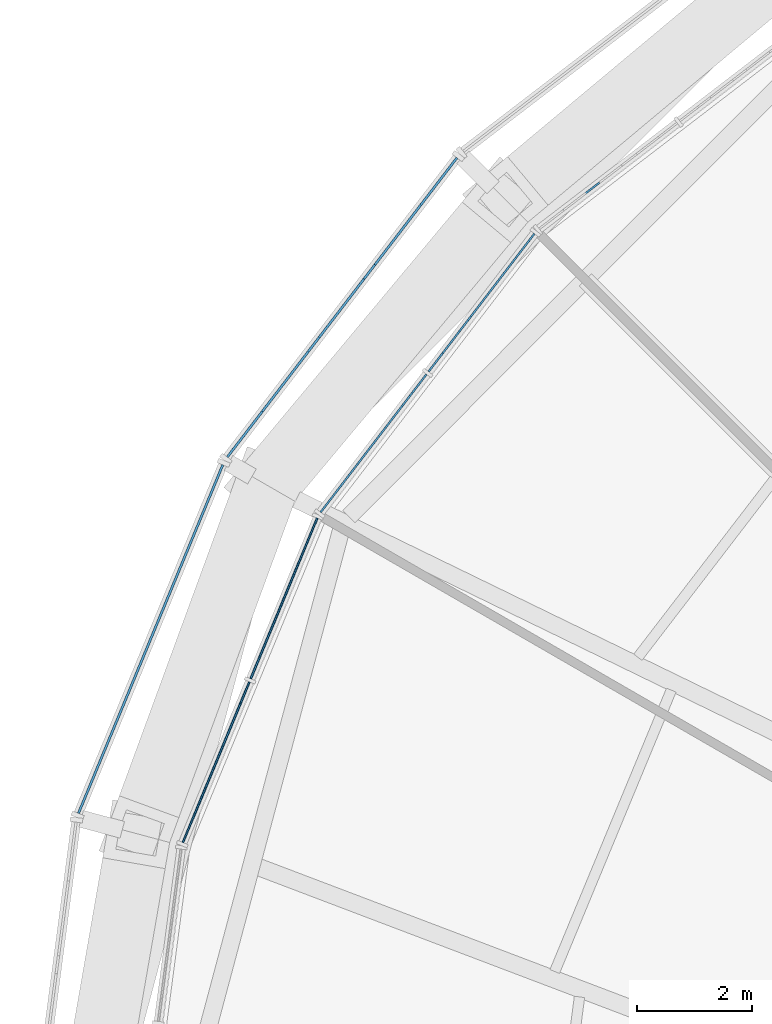
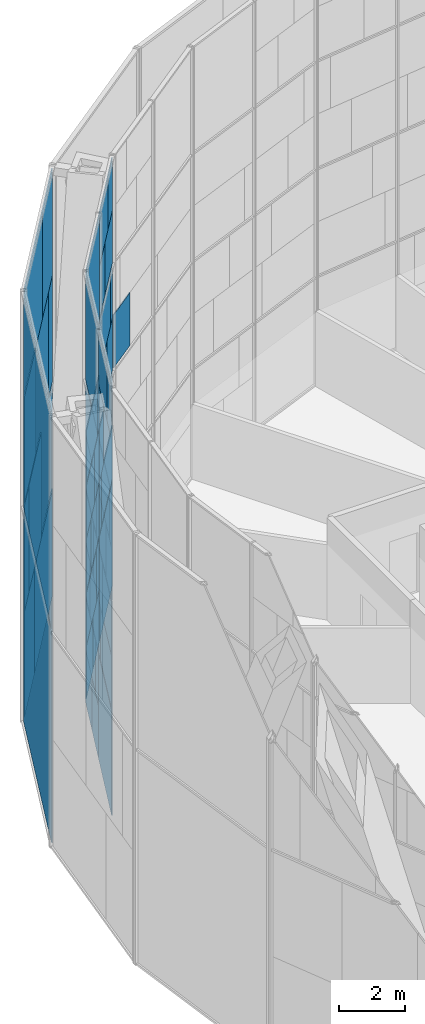
# One storey, part 20 of 28: 63 plates, 5 elements without a shape of their own.
"""IFC4 building model written with IfcOpenShell, lengths in metres."""

import ifcopenshell
import ifcopenshell.guid

model = None  # the IFC model being written
_history = None  # IfcOwnerHistory: only IFC2X3 demands one
_inside = {}  # id of a spatial element -> (the spatial element, [elements in it])
_under = {}  # id of a project, library or spatial element -> (it, [spatial elements below it])
_declared = {}  # id of a project -> (the project, [libraries it declares])
_typed = {}  # id of a type object -> (the type object, [elements of that type])
_made_of = {}  # id of a material, layer set ... -> (it, [elements and type objects made of it])


def new_model(schema):
    """Start an empty IFC model of exactly this schema.

    Asked for "IFC4X3", IfcOpenShell would pick the latest addendum, in which some entities
    have other attributes; the version numbers below select the first issue.
    IFC2X3 requires an IfcOwnerHistory on every rooted entity: one is made here for all.
    """
    global model, _history
    if schema == "IFC4X3":
        model = ifcopenshell.file(schema_version=(4, 3, 0, 0))
    else:
        model = ifcopenshell.file(schema=schema)
    _inside.clear()
    _under.clear()
    _declared.clear()
    _typed.clear()
    _made_of.clear()
    _history = None
    if model.schema == "IFC2X3":
        org = make("IfcOrganization", Name="unknown")
        user = make(
            "IfcPersonAndOrganization",
            ThePerson=make("IfcPerson", FamilyName="unknown"),
            TheOrganization=org,
        )
        app = make(
            "IfcApplication",
            ApplicationDeveloper=org,
            Version="unknown",
            ApplicationFullName="unknown",
            ApplicationIdentifier="unknown",
        )
        _history = make(
            "IfcOwnerHistory",
            OwningUser=user,
            OwningApplication=app,
            ChangeAction="ADDED",
            CreationDate=0,
        )
    return model


def make(cls, **values):
    """One entity of the class cls with the attributes given. An attribute that is None is left unset."""
    return model.create_entity(
        cls, **{name: value for name, value in values.items() if value is not None}
    )


def rooted(cls, **values):
    """An entity with a GlobalId (a new one), such as an element, a storey or a relation."""
    return make(cls, GlobalId=ifcopenshell.guid.new(), OwnerHistory=_history, **values)


def si_unit(unit_type, name, prefix=None):
    """IfcSIUnit, for example si_unit("LENGTHUNIT", "METRE", prefix="MILLI")."""
    return make("IfcSIUnit", UnitType=unit_type, Prefix=prefix, Name=name)


def assignment(units):
    """IfcUnitAssignment: the units of a project."""
    return None if units is None else make("IfcUnitAssignment", Units=units)


def point(xyz):
    """IfcCartesianPoint."""
    return None if xyz is None else make("IfcCartesianPoint", Coordinates=xyz)


def direction(xyz):
    """IfcDirection."""
    return None if xyz is None else make("IfcDirection", DirectionRatios=xyz)


def frame(location, z_axis=None, x_axis=None):
    """IfcAxis2Placement3D, a coordinate frame: its origin and axes. An axis left out is left unset."""
    return make(
        "IfcAxis2Placement3D",
        Location=point(location),
        Axis=direction(z_axis),
        RefDirection=direction(x_axis),
    )


def frame_2d(location, x_axis=None):
    """IfcAxis2Placement2D, a coordinate frame in the plane: its origin and x axis."""
    return make(
        "IfcAxis2Placement2D", Location=point(location), RefDirection=direction(x_axis)
    )


def origin():
    """The frame at (0, 0, 0) with its axes left unset."""
    return frame((0.0, 0.0, 0.0))


def origin_2d():
    """The frame at (0, 0) in the plane with its x axis left unset."""
    return frame_2d((0.0, 0.0))


def place(relative_to, where):
    """IfcLocalPlacement: puts the frame where relative to a parent placement (None: the world)."""
    return make(
        "IfcLocalPlacement", PlacementRelTo=relative_to, RelativePlacement=where
    )


def context(
    kind, dimensions, precision=None, world=None, true_north=None, identifier=None
):
    """IfcGeometricRepresentationContext, for example the 3D "Model" context."""
    return make(
        "IfcGeometricRepresentationContext",
        ContextIdentifier=identifier,
        ContextType=kind,
        CoordinateSpaceDimension=dimensions,
        Precision=precision,
        WorldCoordinateSystem=world,
        TrueNorth=true_north,
    )


def subcontext(parent, identifier, kind, view, scale=None):
    """IfcGeometricRepresentationSubContext, for example "Body" below "Model"."""
    return make(
        "IfcGeometricRepresentationSubContext",
        ContextIdentifier=identifier,
        ContextType=kind,
        ParentContext=parent,
        TargetScale=scale,
        TargetView=view,
    )


def project(units=None, contexts=None):
    """IfcProject with its units and contexts."""
    return rooted(
        "IfcProject",
        Name="project",
        RepresentationContexts=contexts,
        UnitsInContext=assignment(units),
    )


def spatial(cls, under=None, at=None, **own):
    """A site, building, storey or space (cls), placed at a placement, below another one or the project."""
    s = rooted(cls, ObjectPlacement=at, **own)
    if under is not None:
        _under.setdefault(under.id(), (under, []))[1].append(s)
    return s


def profile(cls, at=None, kind="AREA", **sizes):
    """A parametric profile (cls). Its sizes go by their IFC names, for example OverallWidth=200.0."""
    return make(cls, ProfileType=kind, Position=at, **sizes)


def rectangle(**sizes):
    """IfcRectangleProfileDef."""
    return profile("IfcRectangleProfileDef", **sizes)


def extrude(swept, where, along, depth):
    """IfcExtrudedAreaSolid: the profile swept, set in the frame where, extruded along a direction by depth."""
    return make(
        "IfcExtrudedAreaSolid",
        SweptArea=swept,
        Position=where,
        ExtrudedDirection=direction(along),
        Depth=depth,
    )


def shape(context_of_items, identifier, shape_type, items):
    """IfcShapeRepresentation: the items that make up one representation, for example the "Body"."""
    return make(
        "IfcShapeRepresentation",
        ContextOfItems=context_of_items,
        RepresentationIdentifier=identifier,
        RepresentationType=shape_type,
        Items=items,
    )


def material(Name=None, Category=None):
    """IfcMaterial."""
    return make("IfcMaterial", Name=Name, Category=Category)


def layer(
    of_material, thickness, ventilated=None, Name=None, Category=None, Priority=None
):
    """IfcMaterialLayer: one layer of a wall or slab, of a material (None: an air gap)."""
    return make(
        "IfcMaterialLayer",
        Material=of_material,
        LayerThickness=thickness,
        IsVentilated=ventilated,
        Name=Name,
        Category=Category,
        Priority=Priority,
    )


def layer_set(layers, Name=None):
    """IfcMaterialLayerSet."""
    return make("IfcMaterialLayerSet", MaterialLayers=layers, LayerSetName=Name)


def made_of(thing, what):
    """Note that an element or type object is made of a material, layer set ...; save() writes the relation."""
    if what is not None:
        _made_of.setdefault(what.id(), (what, []))[1].append(thing)
    return thing


def type_object(cls, material=None, **own):
    """A type object (cls), such as IfcWallType, which elements share."""
    return made_of(rooted(cls, **own), material)


def element(
    cls,
    number,
    at=None,
    inside=None,
    cuts=None,
    type_object=None,
    material=None,
    context=None,
    identifier="Body",
    shape_type=None,
    held_by="IfcProductDefinitionShape",
    body=None,
    shapes=None,
    **own,
):
    """One element of the class cls, such as IfcWall. Its Tag is "e" and its number.

    at: its placement. inside: the storey or other place that contains it. cuts: it is an
    opening in that element (IfcRelVoidsElement). A single representation is given by context,
    identifier, shape_type and body (its items); several are given by shapes. held_by: the class
    of the entity that holds the representations. save() writes the other relations.
    """
    e = rooted(cls, Tag="e%d" % number, ObjectPlacement=at, **own)
    if body is not None:
        shapes = [shape(context, identifier, shape_type, body)]
    if shapes is not None:
        e.Representation = make(held_by, Representations=shapes)
    if inside is not None:
        _inside.setdefault(inside.id(), (inside, []))[1].append(e)
    if cuts is not None:
        rooted(
            "IfcRelVoidsElement", RelatingBuildingElement=cuts, RelatedOpeningElement=e
        )
    if type_object is not None:
        _typed.setdefault(type_object.id(), (type_object, []))[1].append(e)
    return made_of(e, material)


def aggregate(whole, parts):
    """IfcRelAggregates: a whole, such as a stair, and the parts it consists of."""
    return rooted("IfcRelAggregates", RelatingObject=whole, RelatedObjects=parts)


def save(model, path):
    """Write the relations noted so far, then the file.

    IfcRelAggregates (storeys below a building ...), IfcRelContainedInSpatialStructure (elements
    in a storey), IfcRelDefinesByType, IfcRelAssociatesMaterial and IfcRelDeclares: one each for
    every whole, place, type object, material and project.
    """
    for whole, parts in _under.values():
        aggregate(whole, parts)
    for where, things in _inside.values():
        rooted(
            "IfcRelContainedInSpatialStructure",
            RelatedElements=things,
            RelatingStructure=where,
        )
    for kind, things in _typed.values():
        rooted("IfcRelDefinesByType", RelatedObjects=things, RelatingType=kind)
    for what, things in _made_of.values():
        rooted("IfcRelAssociatesMaterial", RelatedObjects=things, RelatingMaterial=what)
    for by, libraries in _declared.values():
        rooted("IfcRelDeclares", RelatingContext=by, RelatedDefinitions=libraries)
    model.write(path)


model = new_model("IFC4")

# Units and contexts
model_context = context("Model", 3, precision=1e-05, world=origin(), true_north=direction((0.0, 1.0)))
body_context = subcontext(model_context, "Body", "Model", "MODEL_VIEW")
ifc_project = project(units=[si_unit("LENGTHUNIT", "METRE"), si_unit("AREAUNIT", "SQUARE_METRE"), si_unit("VOLUMEUNIT", "CUBIC_METRE"), si_unit("PLANEANGLEUNIT", "RADIAN"), si_unit("MASSUNIT", "GRAM", prefix="KILO")], contexts=[model_context])

# Site, building, storey
site_placement = place(None, origin())
site = spatial("IfcSite", under=ifc_project, at=site_placement, CompositionType="ELEMENT")
building_placement = place(site_placement, origin())
building = spatial("IfcBuilding", under=site, at=building_placement, Name="Golbaran Civic Tower", CompositionType="ELEMENT")
storey_placement = place(building_placement, frame((0.0, 0.0, 183.0)))
storey = spatial("IfcBuildingStorey", under=building, at=storey_placement, Name="L44", CompositionType="ELEMENT", Elevation=183.0)

# Curtain wall, plate
ifc_material_1 = material(Name="Aluminium and glass", Category="aluminium")
curtain_wall_type_1 = type_object("IfcCurtainWallType", Name="INNER SKIN CURTAIN WALL EXECUTIVE", PredefinedType="NOTDEFINED", material=ifc_material_1)
curtain_wall_1_placement = place(storey_placement, origin())
curtain_wall_1 = element("IfcCurtainWall", 1, at=curtain_wall_1_placement, inside=storey, type_object=curtain_wall_type_1, Name="Inner skin L44 facet 9 CW2", ObjectType="INNER SKIN", PredefinedType="USERDEFINED")
ifc_material_2 = material(Name="Clear insulating glass", Category="glass")
ifc_layer_1 = layer(ifc_material_2, 0.031982421875, Name="Clear insulating glass")
ifc_layer_set_1 = layer_set([ifc_layer_1], Name="Clear insulating glass")
plate_type_1 = type_object("IfcPlateType", Name="INNER SKIN CURTAIN WALL EXECUTIVE GLAZED PANEL", PredefinedType="CURTAIN_PANEL", material=ifc_layer_set_1)
plate_1_placement = place(storey_placement, frame((-16.267578125, 17.275146484375, 8.02978515625), z_axis=(0.0, 0.0, 1.0), x_axis=(-0.793353340334, -0.608761428953, 0.0)))
plate_1 = element("IfcPlate", 2, at=plate_1_placement, type_object=plate_type_1, Name="CW2 panel 2.3 part 2", PredefinedType="CURTAIN_PANEL", context=body_context, shape_type="SweptSolid", body=[
    extrude(rectangle(XDim=1.317138671875, YDim=0.031982421875, at=origin_2d()), origin(), (0.0, 0.0, 1.0), 1.969970703125),
])
aggregate(curtain_wall_1, [plate_1])

# Curtain wall, plates
curtain_wall_2_placement = place(storey_placement, origin())
curtain_wall_2 = element("IfcCurtainWall", 3, at=curtain_wall_2_placement, inside=storey, type_object=curtain_wall_type_1, Name="Inner skin L44 facet 10 CW2", ObjectType="INNER SKIN", PredefinedType="USERDEFINED")
plate_2_placement = place(storey_placement, frame((-17.792724609375, 15.5927734375, 0.06005859375), z_axis=(0.0, 0.0, 1.0), x_axis=(-0.608761428953, -0.793353340334, 0.0)))
plate_2 = element("IfcPlate", 4, at=plate_2_placement, type_object=plate_type_1, Name="CW2 panel 1.1", PredefinedType="CURTAIN_PANEL", context=body_context, shape_type="SweptSolid", body=[
    extrude(rectangle(XDim=3.01806640625, YDim=0.031982421875, at=origin_2d()), origin(), (0.0, 0.0, 1.0), 3.909912109375),
])
plate_3_placement = place(storey_placement, frame((-17.670654296875, 15.751953125, 4.02978515625), z_axis=(0.0, 0.0, 1.0), x_axis=(-0.608761428953, -0.793353340334, 0.0)))
plate_3 = element("IfcPlate", 5, at=plate_3_placement, type_object=plate_type_1, Name="CW2 panel 1.2 part 1", PredefinedType="CURTAIN_PANEL", context=body_context, shape_type="SweptSolid", body=[
    extrude(rectangle(XDim=2.616943359375, YDim=0.031982421875, at=origin_2d()), origin(), (0.0, 0.0, 1.0), 1.969970703125),
])
plate_4_placement = place(storey_placement, frame((-17.5244140625, 15.942626953125, 6.0), z_axis=(0.0, 0.0, 1.0), x_axis=(-0.608761428953, -0.793353340334, 0.0)))
plate_4 = element("IfcPlate", 6, at=plate_4_placement, type_object=plate_type_1, Name="CW2 panel 1.2 part 3", PredefinedType="CURTAIN_PANEL", context=body_context, shape_type="SweptSolid", body=[
    extrude(rectangle(XDim=2.135986328125, YDim=0.031982421875, at=origin_2d()), origin(), (0.0, 0.0, 1.0), 1.969970703125),
])
plate_5_placement = place(storey_placement, frame((-17.27490234375, 16.267578125, 8.02978515625), z_axis=(0.0, 0.0, 1.0), x_axis=(-0.608761428953, -0.793353340334, 0.0)))
plate_5 = element("IfcPlate", 7, at=plate_5_placement, type_object=plate_type_1, Name="CW2 panel 1.3 part 1", PredefinedType="CURTAIN_PANEL", context=body_context, shape_type="SweptSolid", body=[
    extrude(rectangle(XDim=1.31689453125, YDim=0.031982421875, at=origin_2d()), origin(), (0.0, 0.0, 1.0), 1.969970703125),
])
plate_6_placement = place(storey_placement, frame((-17.033447265625, 16.58251953125, 10.0), z_axis=(0.0, 0.0, 1.0), x_axis=(-0.608761428953, -0.793353340334, 0.0)))
plate_6 = element("IfcPlate", 8, at=plate_6_placement, type_object=plate_type_1, Name="CW2 panel 1.3 part 3", PredefinedType="CURTAIN_PANEL", context=body_context, shape_type="SweptSolid", body=[
    extrude(rectangle(XDim=0.52294921875, YDim=0.031982421875, at=origin_2d()), origin(), (0.0, 0.0, 1.0), 1.969970703125),
])
plate_7_placement = place(storey_placement, frame((-18.34375, 14.874755859375, 12.030029296875), z_axis=(0.0, 0.0, 1.0), x_axis=(-0.608761428953, -0.793353340334, 0.0)))
plate_7 = element("IfcPlate", 9, at=plate_7_placement, type_object=plate_type_1, Name="CW2 panel 1.4 part 2", PredefinedType="CURTAIN_PANEL", context=body_context, shape_type="SweptSolid", body=[
    extrude(rectangle(XDim=1.2080078125, YDim=0.031982421875, at=origin_2d()), origin(), (0.0, 0.0, 1.0), 1.955078125),
])
plate_8_placement = place(storey_placement, frame((-18.103759765625, 15.1875, 13.98486328125), z_axis=(0.0, 0.0, 1.0), x_axis=(-0.608761428953, -0.793353340334, 0.0)))
plate_8 = element("IfcPlate", 10, at=plate_8_placement, type_object=plate_type_1, Name="CW2 panel 1.4 part 4", PredefinedType="CURTAIN_PANEL", context=body_context, shape_type="SweptSolid", body=[
    extrude(rectangle(XDim=1.99609375, YDim=0.031982421875, at=origin_2d()), origin(), (0.0, 0.0, 1.0), 1.955078125),
])
plate_9_placement = place(storey_placement, frame((-19.192138671875, 13.769287109375, 0.06005859375), z_axis=(0.0, 0.0, 1.0), x_axis=(-0.608761428953, -0.793353340334, 0.0)))
plate_9 = element("IfcPlate", 11, at=plate_9_placement, type_object=plate_type_1, Name="CW2 panel 2.1 part 1", PredefinedType="CURTAIN_PANEL", context=body_context, shape_type="SweptSolid", body=[
    extrude(rectangle(XDim=1.458984375, YDim=0.031982421875, at=origin_2d()), origin(), (0.0, 0.0, 1.0), 1.955078125),
])
plate_10_placement = place(storey_placement, frame((-18.951904296875, 14.082275390625, 2.014892578125), z_axis=(0.0, 0.0, 1.0), x_axis=(-0.608761428953, -0.793353340334, 0.0)))
plate_10 = element("IfcPlate", 12, at=plate_10_placement, type_object=plate_type_1, Name="CW2 panel 2.1 part 3", PredefinedType="CURTAIN_PANEL", context=body_context, shape_type="SweptSolid", body=[
    extrude(rectangle(XDim=0.669921875, YDim=0.031982421875, at=origin_2d()), origin(), (0.0, 0.0, 1.0), 1.955078125),
])
plate_11_placement = place(storey_placement, frame((-20.2626953125, 12.3740234375, 4.02978515625), z_axis=(0.0, 0.0, 1.0), x_axis=(-0.608761428953, -0.793353340334, 0.0)))
plate_11 = element("IfcPlate", 13, at=plate_11_placement, type_object=plate_type_1, Name="CW2 panel 2.2 part 2", PredefinedType="CURTAIN_PANEL", context=body_context, shape_type="SweptSolid", body=[
    extrude(rectangle(XDim=1.06005859375, YDim=0.031982421875, at=origin_2d()), origin(), (0.0, 0.0, 1.0), 1.969970703125),
])
plate_12_placement = place(storey_placement, frame((-20.0205078125, 12.689453125, 6.0), z_axis=(0.0, 0.0, 1.0), x_axis=(-0.608761428953, -0.793353340334, 0.0)))
plate_12 = element("IfcPlate", 14, at=plate_12_placement, type_object=plate_type_1, Name="CW2 panel 2.2 part 4", PredefinedType="CURTAIN_PANEL", context=body_context, shape_type="SweptSolid", body=[
    extrude(rectangle(XDim=1.85498046875, YDim=0.031982421875, at=origin_2d()), origin(), (0.0, 0.0, 1.0), 1.969970703125),
])
plate_13_placement = place(storey_placement, frame((-19.78857421875, 12.99169921875, 8.02978515625), z_axis=(0.0, 0.0, 1.0), x_axis=(-0.608761428953, -0.793353340334, 0.0)))
plate_13 = element("IfcPlate", 15, at=plate_13_placement, type_object=plate_type_1, Name="CW2 panel 2.3 part 2", PredefinedType="CURTAIN_PANEL", context=body_context, shape_type="SweptSolid", body=[
    extrude(rectangle(XDim=2.6171875, YDim=0.031982421875, at=origin_2d()), origin(), (0.0, 0.0, 1.0), 1.969970703125),
])
plate_14_placement = place(storey_placement, frame((-19.66650390625, 13.15087890625, 10.0), z_axis=(0.0, 0.0, 1.0), x_axis=(-0.608761428953, -0.793353340334, 0.0)))
plate_14 = element("IfcPlate", 16, at=plate_14_placement, type_object=plate_type_1, Name="CW2 panel 2.3 part 3", PredefinedType="CURTAIN_PANEL", context=body_context, shape_type="SweptSolid", body=[
    extrude(rectangle(XDim=3.01806640625, YDim=0.031982421875, at=origin_2d()), origin(), (0.0, 0.0, 1.0), 1.969970703125),
])
plate_15_placement = place(storey_placement, frame((-19.66650390625, 13.15087890625, 12.0302734375), z_axis=(0.0, 0.0, 1.0), x_axis=(-0.608761428953, -0.793353340334, 0.0)))
plate_15 = element("IfcPlate", 17, at=plate_15_placement, type_object=plate_type_1, Name="CW2 panel 2.4", PredefinedType="CURTAIN_PANEL", context=body_context, shape_type="SweptSolid", body=[
    extrude(rectangle(XDim=3.01806640625, YDim=0.031982421875, at=origin_2d()), origin(), (0.0, 0.0, 1.0), 3.909912109375),
])

curtain_wall_3_placement = place(storey_placement, origin())
curtain_wall_3 = element("IfcCurtainWall", 18, at=curtain_wall_3_placement, inside=storey, type_object=curtain_wall_type_1, Name="Inner skin L44 facet 11 CW2", ObjectType="INNER SKIN", PredefinedType="USERDEFINED")
plate_16_placement = place(storey_placement, frame((-21.5205078125, 9.736328125, 0.06005859375), z_axis=(0.0, 0.0, 1.0), x_axis=(-0.382683432413, -0.923879532491, 0.0)))
plate_16 = element("IfcPlate", 19, at=plate_16_placement, type_object=plate_type_1, Name="CW2 panel 1.1 part 2", PredefinedType="CURTAIN_PANEL", context=body_context, shape_type="SweptSolid", body=[
    extrude(rectangle(XDim=1.458984375, YDim=0.031982421875, at=origin_2d()), origin(), (0.0, 0.0, 1.0), 1.955078125),
])
plate_17_placement = place(storey_placement, frame((-21.671630859375, 9.371826171875, 2.014892578125), z_axis=(0.0, 0.0, 1.0), x_axis=(-0.382683432413, -0.923879532491, 0.0)))
plate_17 = element("IfcPlate", 20, at=plate_17_placement, type_object=plate_type_1, Name="CW2 panel 1.1 part 4", PredefinedType="CURTAIN_PANEL", context=body_context, shape_type="SweptSolid", body=[
    extrude(rectangle(XDim=0.670166015625, YDim=0.031982421875, at=origin_2d()), origin(), (0.0, 0.0, 1.0), 1.955078125),
])
plate_18_placement = place(storey_placement, frame((-20.84765625, 11.36083984375, 4.02978515625), z_axis=(0.0, 0.0, 1.0), x_axis=(-0.382683432413, -0.923879532491, 0.0)))
plate_18 = element("IfcPlate", 21, at=plate_18_placement, type_object=plate_type_1, Name="CW2 panel 1.2 part 1", PredefinedType="CURTAIN_PANEL", context=body_context, shape_type="SweptSolid", body=[
    extrude(rectangle(XDim=1.06005859375, YDim=0.031982421875, at=origin_2d()), origin(), (0.0, 0.0, 1.0), 1.969970703125),
])
plate_19_placement = place(storey_placement, frame((-20.999755859375, 10.99365234375, 6.0), z_axis=(0.0, 0.0, 1.0), x_axis=(-0.382683432413, -0.923879532491, 0.0)))
plate_19 = element("IfcPlate", 22, at=plate_19_placement, type_object=plate_type_1, Name="CW2 panel 1.2 part 3", PredefinedType="CURTAIN_PANEL", context=body_context, shape_type="SweptSolid", body=[
    extrude(rectangle(XDim=1.85498046875, YDim=0.031982421875, at=origin_2d()), origin(), (0.0, 0.0, 1.0), 1.969970703125),
])
plate_20_placement = place(storey_placement, frame((-21.1455078125, 10.6416015625, 8.02978515625), z_axis=(0.0, 0.0, 1.0), x_axis=(-0.382683432413, -0.923879532491, 0.0)))
plate_20 = element("IfcPlate", 23, at=plate_20_placement, type_object=plate_type_1, Name="CW2 panel 1.3 part 1", PredefinedType="CURTAIN_PANEL", context=body_context, shape_type="SweptSolid", body=[
    extrude(rectangle(XDim=2.616943359375, YDim=0.031982421875, at=origin_2d()), origin(), (0.0, 0.0, 1.0), 1.969970703125),
])
plate_21_placement = place(storey_placement, frame((-21.22216796875, 10.456298828125, 10.0), z_axis=(0.0, 0.0, 1.0), x_axis=(-0.382683432413, -0.923879532491, 0.0)))
plate_21 = element("IfcPlate", 24, at=plate_21_placement, type_object=plate_type_1, Name="CW2 panel 1.3 part 3", PredefinedType="CURTAIN_PANEL", context=body_context, shape_type="SweptSolid", body=[
    extrude(rectangle(XDim=3.01806640625, YDim=0.031982421875, at=origin_2d()), origin(), (0.0, 0.0, 1.0), 1.969970703125),
])
plate_22_placement = place(storey_placement, frame((-21.22216796875, 10.456298828125, 12.0302734375), z_axis=(0.0, 0.0, 1.0), x_axis=(-0.382683432413, -0.923879532491, 0.0)))
plate_22 = element("IfcPlate", 25, at=plate_22_placement, type_object=plate_type_1, Name="CW2 panel 1.4", PredefinedType="CURTAIN_PANEL", context=body_context, shape_type="SweptSolid", body=[
    extrude(rectangle(XDim=3.01806640625, YDim=0.031982421875, at=origin_2d()), origin(), (0.0, 0.0, 1.0), 3.909912109375),
])
plate_23_placement = place(storey_placement, frame((-22.400146484375, 7.612548828125, 0.06005859375), z_axis=(0.0, 0.0, 1.0), x_axis=(-0.382683432413, -0.923879532491, 0.0)))
plate_23 = element("IfcPlate", 26, at=plate_23_placement, type_object=plate_type_1, Name="CW2 panel 2.1", PredefinedType="CURTAIN_PANEL", context=body_context, shape_type="SweptSolid", body=[
    extrude(rectangle(XDim=3.01806640625, YDim=0.031982421875, at=origin_2d()), origin(), (0.0, 0.0, 1.0), 3.909912109375),
])
plate_24_placement = place(storey_placement, frame((-22.476806640625, 7.427734375, 4.02978515625), z_axis=(0.0, 0.0, 1.0), x_axis=(-0.382683432413, -0.923879532491, 0.0)))
plate_24 = element("IfcPlate", 27, at=plate_24_placement, type_object=plate_type_1, Name="CW2 panel 2.2 part 2", PredefinedType="CURTAIN_PANEL", context=body_context, shape_type="SweptSolid", body=[
    extrude(rectangle(XDim=2.6181640625, YDim=0.031982421875, at=origin_2d()), origin(), (0.0, 0.0, 1.0), 1.969970703125),
])
plate_25_placement = place(storey_placement, frame((-22.56884765625, 7.205078125, 6.0), z_axis=(0.0, 0.0, 1.0), x_axis=(-0.382683432413, -0.923879532491, 0.0)))
plate_25 = element("IfcPlate", 28, at=plate_25_placement, type_object=plate_type_1, Name="CW2 panel 2.2 part 4", PredefinedType="CURTAIN_PANEL", context=body_context, shape_type="SweptSolid", body=[
    extrude(rectangle(XDim=2.135986328125, YDim=0.031982421875, at=origin_2d()), origin(), (0.0, 0.0, 1.0), 1.969970703125),
])
plate_26_placement = place(storey_placement, frame((-22.7255859375, 6.826904296875, 8.02978515625), z_axis=(0.0, 0.0, 1.0), x_axis=(-0.382683432413, -0.923879532491, 0.0)))
plate_26 = element("IfcPlate", 29, at=plate_26_placement, type_object=plate_type_1, Name="CW2 panel 2.3 part 2", PredefinedType="CURTAIN_PANEL", context=body_context, shape_type="SweptSolid", body=[
    extrude(rectangle(XDim=1.317138671875, YDim=0.031982421875, at=origin_2d()), origin(), (0.0, 0.0, 1.0), 1.969970703125),
])
plate_27_placement = place(storey_placement, frame((-22.877685546875, 6.4599609375, 10.0), z_axis=(0.0, 0.0, 1.0), x_axis=(-0.382683432413, -0.923879532491, 0.0)))
plate_27 = element("IfcPlate", 30, at=plate_27_placement, type_object=plate_type_1, Name="CW2 panel 2.3 part 4", PredefinedType="CURTAIN_PANEL", context=body_context, shape_type="SweptSolid", body=[
    extrude(rectangle(XDim=0.523193359375, YDim=0.031982421875, at=origin_2d()), origin(), (0.0, 0.0, 1.0), 1.969970703125),
])
plate_28_placement = place(storey_placement, frame((-22.0537109375, 8.44873046875, 12.030029296875), z_axis=(0.0, 0.0, 1.0), x_axis=(-0.382683432413, -0.923879532491, 0.0)))
plate_28 = element("IfcPlate", 31, at=plate_28_placement, type_object=plate_type_1, Name="CW2 panel 2.4 part 1", PredefinedType="CURTAIN_PANEL", context=body_context, shape_type="SweptSolid", body=[
    extrude(rectangle(XDim=1.2080078125, YDim=0.031982421875, at=origin_2d()), origin(), (0.0, 0.0, 1.0), 1.955078125),
])
plate_29_placement = place(storey_placement, frame((-22.20458984375, 8.084716796875, 13.98486328125), z_axis=(0.0, 0.0, 1.0), x_axis=(-0.382683432413, -0.923879532491, 0.0)))
plate_29 = element("IfcPlate", 32, at=plate_29_placement, type_object=plate_type_1, Name="CW2 panel 2.4 part 3", PredefinedType="CURTAIN_PANEL", context=body_context, shape_type="SweptSolid", body=[
    extrude(rectangle(XDim=1.99609375, YDim=0.031982421875, at=origin_2d()), origin(), (0.0, 0.0, 1.0), 1.955078125),
])

# Plate
ifc_material_3 = material(Name="Aluminium faced opaque infill panel", Category="aluminium")
ifc_layer_2 = layer(ifc_material_3, 0.031982421875, Name="Aluminium faced opaque infill panel")
ifc_layer_set_2 = layer_set([ifc_layer_2], Name="Aluminium faced opaque infill panel")
plate_type_2 = type_object("IfcPlateType", Name="INNER SKIN CURTAIN WALL EXECUTIVE OPAQUE INFILL PANEL", PredefinedType="CURTAIN_PANEL", material=ifc_layer_set_2)
plate_30_placement = place(storey_placement, frame((-18.58935546875, 14.5546875, 4.02978515625), z_axis=(0.0, 0.0, 1.0), x_axis=(-0.608761428953, -0.793353340334, 0.0)))
plate_30 = element("IfcPlate", 33, at=plate_30_placement, type_object=plate_type_2, Name="CW2 infill panel 1.2 part 2", PredefinedType="CURTAIN_PANEL", context=body_context, shape_type="SweptSolid", body=[
    extrude(rectangle(XDim=0.401123046875, YDim=0.031982421875, at=origin_2d()), origin(), (0.0, 0.0, 1.0), 1.969970703125),
])

plate_31_placement = place(storey_placement, frame((-18.44287109375, 14.74560546875, 6.0), z_axis=(0.0, 0.0, 1.0), x_axis=(-0.608761428953, -0.793353340334, 0.0)))
plate_31 = element("IfcPlate", 34, at=plate_31_placement, type_object=plate_type_2, Name="CW2 infill panel 1.2 part 4", PredefinedType="CURTAIN_PANEL", context=body_context, shape_type="SweptSolid", body=[
    extrude(rectangle(XDim=0.882080078125, YDim=0.031982421875, at=origin_2d()), origin(), (0.0, 0.0, 1.0), 1.969970703125),
])

plate_32_placement = place(storey_placement, frame((-18.193603515625, 15.0703125, 8.02978515625), z_axis=(0.0, 0.0, 1.0), x_axis=(-0.608761428953, -0.793353340334, 0.0)))
plate_32 = element("IfcPlate", 35, at=plate_32_placement, type_object=plate_type_2, Name="CW2 infill panel 1.3 part 2", PredefinedType="CURTAIN_PANEL", context=body_context, shape_type="SweptSolid", body=[
    extrude(rectangle(XDim=1.701171875, YDim=0.031982421875, at=origin_2d()), origin(), (0.0, 0.0, 1.0), 1.969970703125),
])

plate_33_placement = place(storey_placement, frame((-17.951904296875, 15.38525390625, 10.0), z_axis=(0.0, 0.0, 1.0), x_axis=(-0.608761428953, -0.793353340334, 0.0)))
plate_33 = element("IfcPlate", 36, at=plate_33_placement, type_object=plate_type_2, Name="CW2 infill panel 1.3 part 4", PredefinedType="CURTAIN_PANEL", context=body_context, shape_type="SweptSolid", body=[
    extrude(rectangle(XDim=2.4951171875, YDim=0.031982421875, at=origin_2d()), origin(), (0.0, 0.0, 1.0), 1.969970703125),
])

plate_34_placement = place(storey_placement, frame((-17.425048828125, 16.072021484375, 12.030029296875), z_axis=(0.0, 0.0, 1.0), x_axis=(-0.608761428953, -0.793353340334, 0.0)))
plate_34 = element("IfcPlate", 37, at=plate_34_placement, type_object=plate_type_2, Name="CW2 infill panel 1.4 part 1", PredefinedType="CURTAIN_PANEL", context=body_context, shape_type="SweptSolid", body=[
    extrude(rectangle(XDim=1.81005859375, YDim=0.031982421875, at=origin_2d()), origin(), (0.0, 0.0, 1.0), 1.955078125),
])

plate_35_placement = place(storey_placement, frame((-17.185302734375, 16.384521484375, 13.98486328125), z_axis=(0.0, 0.0, 1.0), x_axis=(-0.608761428953, -0.793353340334, 0.0)))
plate_35 = element("IfcPlate", 38, at=plate_35_placement, type_object=plate_type_2, Name="CW2 infill panel 1.4 part 3", PredefinedType="CURTAIN_PANEL", context=body_context, shape_type="SweptSolid", body=[
    extrude(rectangle(XDim=1.02197265625, YDim=0.031982421875, at=origin_2d()), origin(), (0.0, 0.0, 1.0), 1.955078125),
])

plate_36_placement = place(storey_placement, frame((-20.110595703125, 12.572021484375, 0.06005859375), z_axis=(0.0, 0.0, 1.0), x_axis=(-0.608761428953, -0.793353340334, 0.0)))
plate_36 = element("IfcPlate", 39, at=plate_36_placement, type_object=plate_type_2, Name="CW2 infill panel 2.1 part 2", PredefinedType="CURTAIN_PANEL", context=body_context, shape_type="SweptSolid", body=[
    extrude(rectangle(XDim=1.55908203125, YDim=0.031982421875, at=origin_2d()), origin(), (0.0, 0.0, 1.0), 1.955078125),
])

plate_37_placement = place(storey_placement, frame((-19.87060546875, 12.885009765625, 2.014892578125), z_axis=(0.0, 0.0, 1.0), x_axis=(-0.608761428953, -0.793353340334, 0.0)))
plate_37 = element("IfcPlate", 40, at=plate_37_placement, type_object=plate_type_2, Name="CW2 infill panel 2.1 part 4", PredefinedType="CURTAIN_PANEL", context=body_context, shape_type="SweptSolid", body=[
    extrude(rectangle(XDim=2.34814453125, YDim=0.031982421875, at=origin_2d()), origin(), (0.0, 0.0, 1.0), 1.955078125),
])

plate_38_placement = place(storey_placement, frame((-19.343994140625, 13.5712890625, 4.02978515625), z_axis=(0.0, 0.0, 1.0), x_axis=(-0.608761428953, -0.793353340334, 0.0)))
plate_38 = element("IfcPlate", 41, at=plate_38_placement, type_object=plate_type_2, Name="CW2 infill panel 2.2 part 1", PredefinedType="CURTAIN_PANEL", context=body_context, shape_type="SweptSolid", body=[
    extrude(rectangle(XDim=1.9580078125, YDim=0.031982421875, at=origin_2d()), origin(), (0.0, 0.0, 1.0), 1.969970703125),
])

plate_39_placement = place(storey_placement, frame((-19.10205078125, 13.88671875, 6.0), z_axis=(0.0, 0.0, 1.0), x_axis=(-0.608761428953, -0.793353340334, 0.0)))
plate_39 = element("IfcPlate", 42, at=plate_39_placement, type_object=plate_type_2, Name="CW2 infill panel 2.2 part 3", PredefinedType="CURTAIN_PANEL", context=body_context, shape_type="SweptSolid", body=[
    extrude(rectangle(XDim=1.1630859375, YDim=0.031982421875, at=origin_2d()), origin(), (0.0, 0.0, 1.0), 1.969970703125),
])

plate_40_placement = place(storey_placement, frame((-18.8701171875, 14.18896484375, 8.02978515625), z_axis=(0.0, 0.0, 1.0), x_axis=(-0.608761428953, -0.793353340334, 0.0)))
plate_40 = element("IfcPlate", 43, at=plate_40_placement, type_object=plate_type_2, Name="CW2 infill panel 2.3 part 1", PredefinedType="CURTAIN_PANEL", context=body_context, shape_type="SweptSolid", body=[
    extrude(rectangle(XDim=0.40087890625, YDim=0.031982421875, at=origin_2d()), origin(), (0.0, 0.0, 1.0), 1.969970703125),
])

aggregate(curtain_wall_2, [plate_2, plate_3, plate_30, plate_4, plate_31, plate_5, plate_32, plate_6, plate_33, plate_34, plate_7, plate_35, plate_8, plate_9, plate_36, plate_10, plate_37, plate_38, plate_11, plate_39, plate_12, plate_40, plate_13, plate_14, plate_15])

plate_41_placement = place(storey_placement, frame((-20.943115234375, 11.13037109375, 0.06005859375), z_axis=(0.0, 0.0, 1.0), x_axis=(-0.382683432413, -0.923879532491, 0.0)))
plate_41 = element("IfcPlate", 44, at=plate_41_placement, type_object=plate_type_2, Name="CW2 infill panel 1.1 part 1", PredefinedType="CURTAIN_PANEL", context=body_context, shape_type="SweptSolid", body=[
    extrude(rectangle(XDim=1.55908203125, YDim=0.031982421875, at=origin_2d()), origin(), (0.0, 0.0, 1.0), 1.955078125),
])

plate_42_placement = place(storey_placement, frame((-21.093994140625, 10.765869140625, 2.014892578125), z_axis=(0.0, 0.0, 1.0), x_axis=(-0.382683432413, -0.923879532491, 0.0)))
plate_42 = element("IfcPlate", 45, at=plate_42_placement, type_object=plate_type_2, Name="CW2 infill panel 1.1 part 3", PredefinedType="CURTAIN_PANEL", context=body_context, shape_type="SweptSolid", body=[
    extrude(rectangle(XDim=2.347900390625, YDim=0.031982421875, at=origin_2d()), origin(), (0.0, 0.0, 1.0), 1.955078125),
])

plate_43_placement = place(storey_placement, frame((-21.425048828125, 9.966796875, 4.02978515625), z_axis=(0.0, 0.0, 1.0), x_axis=(-0.382683432413, -0.923879532491, 0.0)))
plate_43 = element("IfcPlate", 46, at=plate_43_placement, type_object=plate_type_2, Name="CW2 infill panel 1.2 part 2", PredefinedType="CURTAIN_PANEL", context=body_context, shape_type="SweptSolid", body=[
    extrude(rectangle(XDim=1.9580078125, YDim=0.031982421875, at=origin_2d()), origin(), (0.0, 0.0, 1.0), 1.969970703125),
])

plate_44_placement = place(storey_placement, frame((-21.5771484375, 9.599609375, 6.0), z_axis=(0.0, 0.0, 1.0), x_axis=(-0.382683432413, -0.923879532491, 0.0)))
plate_44 = element("IfcPlate", 47, at=plate_44_placement, type_object=plate_type_2, Name="CW2 infill panel 1.2 part 4", PredefinedType="CURTAIN_PANEL", context=body_context, shape_type="SweptSolid", body=[
    extrude(rectangle(XDim=1.1630859375, YDim=0.031982421875, at=origin_2d()), origin(), (0.0, 0.0, 1.0), 1.969970703125),
])

plate_45_placement = place(storey_placement, frame((-21.722900390625, 9.24755859375, 8.02978515625), z_axis=(0.0, 0.0, 1.0), x_axis=(-0.382683432413, -0.923879532491, 0.0)))
plate_45 = element("IfcPlate", 48, at=plate_45_placement, type_object=plate_type_2, Name="CW2 infill panel 1.3 part 2", PredefinedType="CURTAIN_PANEL", context=body_context, shape_type="SweptSolid", body=[
    extrude(rectangle(XDim=0.401123046875, YDim=0.031982421875, at=origin_2d()), origin(), (0.0, 0.0, 1.0), 1.969970703125),
])

plate_46_placement = place(storey_placement, frame((-21.899169921875, 8.822021484375, 4.02978515625), z_axis=(0.0, 0.0, 1.0), x_axis=(-0.382683432413, -0.923879532491, 0.0)))
plate_46 = element("IfcPlate", 49, at=plate_46_placement, type_object=plate_type_2, Name="CW2 infill panel 2.2 part 1", PredefinedType="CURTAIN_PANEL", context=body_context, shape_type="SweptSolid", body=[
    extrude(rectangle(XDim=0.39990234375, YDim=0.031982421875, at=origin_2d()), origin(), (0.0, 0.0, 1.0), 1.969970703125),
])

plate_47_placement = place(storey_placement, frame((-21.991455078125, 8.599365234375, 6.0), z_axis=(0.0, 0.0, 1.0), x_axis=(-0.382683432413, -0.923879532491, 0.0)))
plate_47 = element("IfcPlate", 50, at=plate_47_placement, type_object=plate_type_2, Name="CW2 infill panel 2.2 part 3", PredefinedType="CURTAIN_PANEL", context=body_context, shape_type="SweptSolid", body=[
    extrude(rectangle(XDim=0.882080078125, YDim=0.031982421875, at=origin_2d()), origin(), (0.0, 0.0, 1.0), 1.969970703125),
])

plate_48_placement = place(storey_placement, frame((-22.148193359375, 8.220947265625, 8.02978515625), z_axis=(0.0, 0.0, 1.0), x_axis=(-0.382683432413, -0.923879532491, 0.0)))
plate_48 = element("IfcPlate", 51, at=plate_48_placement, type_object=plate_type_2, Name="CW2 infill panel 2.3 part 1", PredefinedType="CURTAIN_PANEL", context=body_context, shape_type="SweptSolid", body=[
    extrude(rectangle(XDim=1.700927734375, YDim=0.031982421875, at=origin_2d()), origin(), (0.0, 0.0, 1.0), 1.969970703125),
])

plate_49_placement = place(storey_placement, frame((-22.300048828125, 7.854248046875, 10.0), z_axis=(0.0, 0.0, 1.0), x_axis=(-0.382683432413, -0.923879532491, 0.0)))
plate_49 = element("IfcPlate", 52, at=plate_49_placement, type_object=plate_type_2, Name="CW2 infill panel 2.3 part 3", PredefinedType="CURTAIN_PANEL", context=body_context, shape_type="SweptSolid", body=[
    extrude(rectangle(XDim=2.4951171875, YDim=0.031982421875, at=origin_2d()), origin(), (0.0, 0.0, 1.0), 1.969970703125),
])

plate_50_placement = place(storey_placement, frame((-22.63134765625, 7.0546875, 12.030029296875), z_axis=(0.0, 0.0, 1.0), x_axis=(-0.382683432413, -0.923879532491, 0.0)))
plate_50 = element("IfcPlate", 53, at=plate_50_placement, type_object=plate_type_2, Name="CW2 infill panel 2.4 part 2", PredefinedType="CURTAIN_PANEL", context=body_context, shape_type="SweptSolid", body=[
    extrude(rectangle(XDim=1.81005859375, YDim=0.031982421875, at=origin_2d()), origin(), (0.0, 0.0, 1.0), 1.955078125),
])

plate_51_placement = place(storey_placement, frame((-22.781982421875, 6.690673828125, 13.98486328125), z_axis=(0.0, 0.0, 1.0), x_axis=(-0.382683432413, -0.923879532491, 0.0)))
plate_51 = element("IfcPlate", 54, at=plate_51_placement, type_object=plate_type_2, Name="CW2 infill panel 2.4 part 4", PredefinedType="CURTAIN_PANEL", context=body_context, shape_type="SweptSolid", body=[
    extrude(rectangle(XDim=1.02197265625, YDim=0.031982421875, at=origin_2d()), origin(), (0.0, 0.0, 1.0), 1.955078125),
])

aggregate(curtain_wall_3, [plate_41, plate_16, plate_42, plate_17, plate_18, plate_43, plate_19, plate_44, plate_20, plate_45, plate_21, plate_22, plate_23, plate_46, plate_24, plate_47, plate_25, plate_48, plate_26, plate_49, plate_27, plate_28, plate_50, plate_29, plate_51])

# Curtain wall, plates
curtain_wall_type_2 = type_object("IfcCurtainWallType", Name="OUTER SKIN TERRACOTTA SCREEN", PredefinedType="NOTDEFINED", material=ifc_material_1)
curtain_wall_4_placement = place(storey_placement, origin())
curtain_wall_4 = element("IfcCurtainWall", 55, at=curtain_wall_4_placement, inside=storey, type_object=curtain_wall_type_2, Name="Outer skin L44 facet 10 CW3", ObjectType="OUTER SKIN", PredefinedType="USERDEFINED")
ifc_material_4 = material(Name="Clear laminated glass", Category="glass")
ifc_layer_3 = layer(ifc_material_4, 0.0400390625, Name="Clear laminated glass")
ifc_layer_set_3 = layer_set([ifc_layer_3], Name="Clear laminated glass")
plate_type_3 = type_object("IfcPlateType", Name="OUTER SKIN CLEAR GLASS PANEL", PredefinedType="CURTAIN_PANEL", material=ifc_layer_set_3)
plate_52_placement = place(storey_placement, frame((-19.510009765625, 16.4248046875, -0.6298828125), z_axis=(0.0, 0.0, 1.0), x_axis=(-0.608761429023, -0.793353340281, 0.0)))
plate_52 = element("IfcPlate", 56, at=plate_52_placement, type_object=plate_type_3, Name="CW3 panel 1.1 part 1", PredefinedType="CURTAIN_PANEL", context=body_context, shape_type="SweptSolid", body=[
    extrude(rectangle(XDim=4.240966796875, YDim=0.0400390625, at=origin_2d()), origin(), (0.0, 0.0, 1.0), 3.93994140625),
])
plate_53_placement = place(storey_placement, frame((-19.0263671875, 17.05517578125, 3.31005859375), z_axis=(0.0, 0.0, 1.0), x_axis=(-0.608761429023, -0.793353340281, 0.0)))
plate_53 = element("IfcPlate", 57, at=plate_53_placement, type_object=plate_type_3, Name="CW3 panel 1.1 part 3", PredefinedType="CURTAIN_PANEL", context=body_context, shape_type="SweptSolid", body=[
    extrude(rectangle(XDim=2.652099609375, YDim=0.0400390625, at=origin_2d()), origin(), (0.0, 0.0, 1.0), 3.93994140625),
])
plate_54_placement = place(storey_placement, frame((-21.90234375, 13.30712890625, 3.31005859375), z_axis=(0.0, 0.0, 1.0), x_axis=(-0.608761429023, -0.793353340281, 0.0)))
plate_54 = element("IfcPlate", 58, at=plate_54_placement, type_object=plate_type_3, Name="CW3 panel 1.1 part 5", PredefinedType="CURTAIN_PANEL", context=body_context, shape_type="SweptSolid", body=[
    extrude(rectangle(XDim=0.996337890625, YDim=0.0400390625, at=origin_2d()), origin(), (0.0, 0.0, 1.0), 3.93994140625),
])
plate_55_placement = place(storey_placement, frame((-18.532958984375, 17.697998046875, 7.330078125), z_axis=(0.0, 0.0, 1.0), x_axis=(-0.608761429023, -0.793353340281, 0.0)))
plate_55 = element("IfcPlate", 59, at=plate_55_placement, type_object=plate_type_3, Name="CW3 panel 1.2 part 1", PredefinedType="CURTAIN_PANEL", context=body_context, shape_type="SweptSolid", body=[
    extrude(rectangle(XDim=1.031005859375, YDim=0.0400390625, at=origin_2d()), origin(), (0.0, 0.0, 1.0), 3.93994140625),
])
plate_56_placement = place(storey_placement, frame((-21.408935546875, 13.9501953125, 7.330078125), z_axis=(0.0, 0.0, 1.0), x_axis=(-0.608761429023, -0.793353340281, 0.0)))
plate_56 = element("IfcPlate", 60, at=plate_56_placement, type_object=plate_type_3, Name="CW3 panel 1.2 part 3", PredefinedType="CURTAIN_PANEL", context=body_context, shape_type="SweptSolid", body=[
    extrude(rectangle(XDim=2.6171875, YDim=0.0400390625, at=origin_2d()), origin(), (0.0, 0.0, 1.0), 3.93994140625),
])
plate_57_placement = place(storey_placement, frame((-20.924560546875, 14.581298828125, 11.27001953125), z_axis=(0.0, 0.0, 1.0), x_axis=(-0.608761429023, -0.793353340281, 0.0)))
plate_57 = element("IfcPlate", 61, at=plate_57_placement, type_object=plate_type_3, Name="CW3 panel 1.2 part 5", PredefinedType="CURTAIN_PANEL", context=body_context, shape_type="SweptSolid", body=[
    extrude(rectangle(XDim=4.208251953125, YDim=0.0400390625, at=origin_2d()), origin(), (0.0, 0.0, 1.0), 3.93994140625),
])
ifc_material_5 = material(Name="Terracotta baguette screen", Category="masonry")
ifc_layer_4 = layer(ifc_material_5, 0.0400390625, Name="Terracotta baguette screen")
ifc_layer_set_4 = layer_set([ifc_layer_4], Name="Terracotta baguette screen")
plate_type_4 = type_object("IfcPlateType", Name="OUTER SKIN TERRACOTTA INFILL PANEL", PredefinedType="CURTAIN_PANEL", material=ifc_layer_set_4)
plate_58_placement = place(storey_placement, frame((-21.503173828125, 13.8271484375, -0.6298828125), z_axis=(0.0, 0.0, 1.0), x_axis=(-0.608761429023, -0.793353340281, 0.0)))
plate_58 = element("IfcPlate", 62, at=plate_58_placement, type_object=plate_type_4, Name="CW3 infill panel 1.1 part 2", PredefinedType="CURTAIN_PANEL", context=body_context, shape_type="SweptSolid", body=[
    extrude(rectangle(XDim=2.307373046875, YDim=0.0400390625, at=origin_2d()), origin(), (0.0, 0.0, 1.0), 3.93994140625),
])
plate_59_placement = place(storey_placement, frame((-20.71630859375, 14.852783203125, 3.31005859375), z_axis=(0.0, 0.0, 1.0), x_axis=(-0.608761429023, -0.793353340281, 0.0)))
plate_59 = element("IfcPlate", 63, at=plate_59_placement, type_object=plate_type_4, Name="CW3 infill panel 1.1 part 4", PredefinedType="CURTAIN_PANEL", context=body_context, shape_type="SweptSolid", body=[
    extrude(rectangle(XDim=2.89990234375, YDim=0.0400390625, at=origin_2d()), origin(), (0.0, 0.0, 1.0), 3.93994140625),
])
plate_60_placement = place(storey_placement, frame((-19.7294921875, 16.138671875, 7.330078125), z_axis=(0.0, 0.0, 1.0), x_axis=(-0.608761429023, -0.793353340281, 0.0)))
plate_60 = element("IfcPlate", 64, at=plate_60_placement, type_object=plate_type_4, Name="CW3 infill panel 1.2 part 2", PredefinedType="CURTAIN_PANEL", context=body_context, shape_type="SweptSolid", body=[
    extrude(rectangle(XDim=2.89990234375, YDim=0.0400390625, at=origin_2d()), origin(), (0.0, 0.0, 1.0), 3.93994140625),
])
plate_61_placement = place(storey_placement, frame((-18.931396484375, 17.1787109375, 11.27001953125), z_axis=(0.0, 0.0, 1.0), x_axis=(-0.608761429023, -0.793353340281, 0.0)))
plate_61 = element("IfcPlate", 65, at=plate_61_placement, type_object=plate_type_4, Name="CW3 infill panel 1.2 part 4", PredefinedType="CURTAIN_PANEL", context=body_context, shape_type="SweptSolid", body=[
    extrude(rectangle(XDim=2.340087890625, YDim=0.0400390625, at=origin_2d()), origin(), (0.0, 0.0, 1.0), 3.93994140625),
])
aggregate(curtain_wall_4, [plate_52, plate_58, plate_53, plate_59, plate_54, plate_55, plate_60, plate_56, plate_61, plate_57])

curtain_wall_5_placement = place(storey_placement, origin())
curtain_wall_5 = element("IfcCurtainWall", 66, at=curtain_wall_5_placement, inside=storey, type_object=curtain_wall_type_2, Name="Outer skin L44 facet 11 CW3", ObjectType="OUTER SKIN", PredefinedType="USERDEFINED")
ifc_layer_5 = layer(ifc_material_5, 0.0400390625, Name="Terracotta baguette screen")
ifc_layer_set_5 = layer_set([ifc_layer_5], Name="Terracotta baguette screen")
plate_type_5 = type_object("IfcPlateType", Name="OUTER SKIN TERRACOTTA SCREEN PANEL", PredefinedType="CURTAIN_PANEL", material=ifc_layer_set_5)
plate_62_placement = place(storey_placement, frame((-23.537841796875, 9.749755859375, -0.6298828125), z_axis=(0.0, 0.0, 1.0), x_axis=(-0.382683432349, -0.923879532518, 0.0)))
plate_62 = element("IfcPlate", 67, at=plate_62_placement, type_object=plate_type_5, Name="CW3 terracotta screen panel 1.1", PredefinedType="CURTAIN_PANEL", context=body_context, shape_type="SweptSolid", body=[
    extrude(rectangle(XDim=6.54833984375, YDim=0.0400390625, at=origin_2d()), origin(), (0.0, 0.0, 1.0), 7.8798828125),
])
plate_63_placement = place(storey_placement, frame((-23.537841796875, 9.749755859375, 7.330078125), z_axis=(0.0, 0.0, 1.0), x_axis=(-0.382683432349, -0.923879532518, 0.0)))
plate_63 = element("IfcPlate", 68, at=plate_63_placement, type_object=plate_type_5, Name="CW3 terracotta screen panel 1.2", PredefinedType="CURTAIN_PANEL", context=body_context, shape_type="SweptSolid", body=[
    extrude(rectangle(XDim=6.54833984375, YDim=0.0400390625, at=origin_2d()), origin(), (0.0, 0.0, 1.0), 7.8798828125),
])
aggregate(curtain_wall_5, [plate_62, plate_63])

save(model, "model.ifc")
